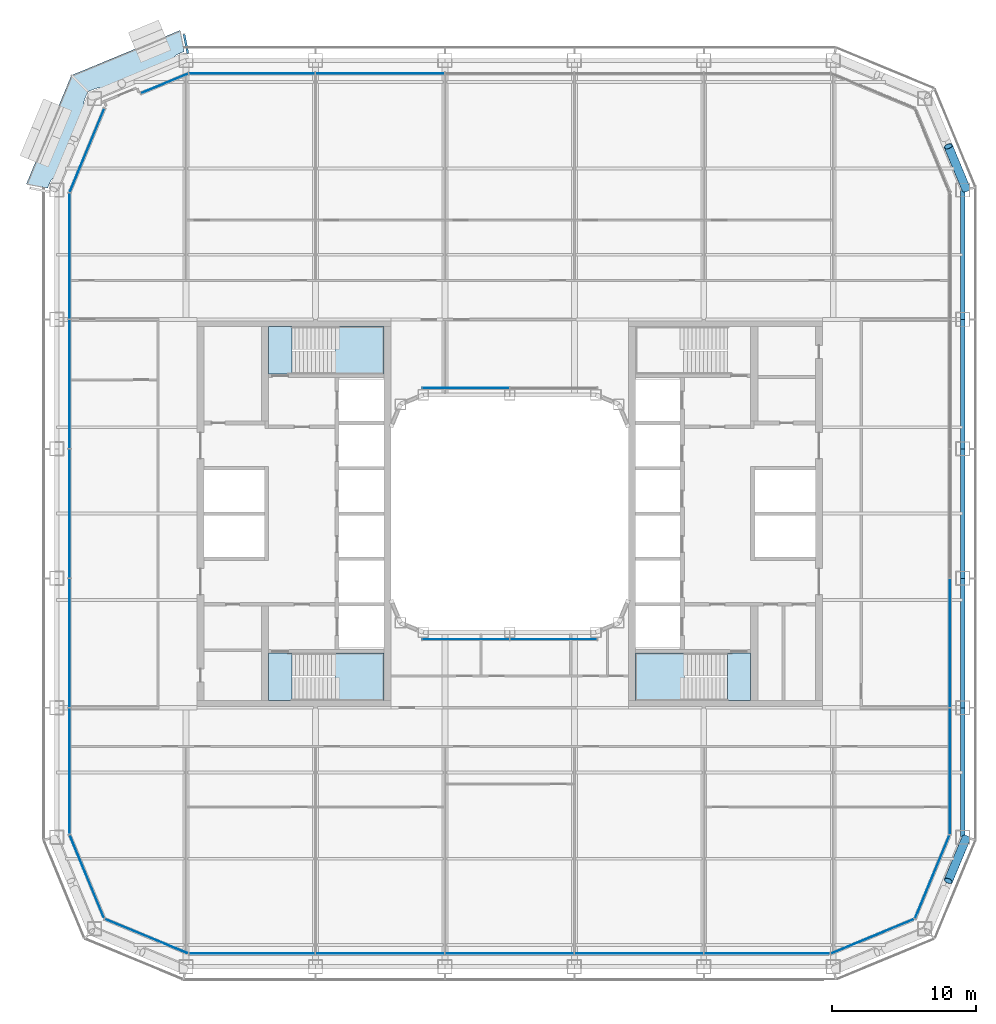
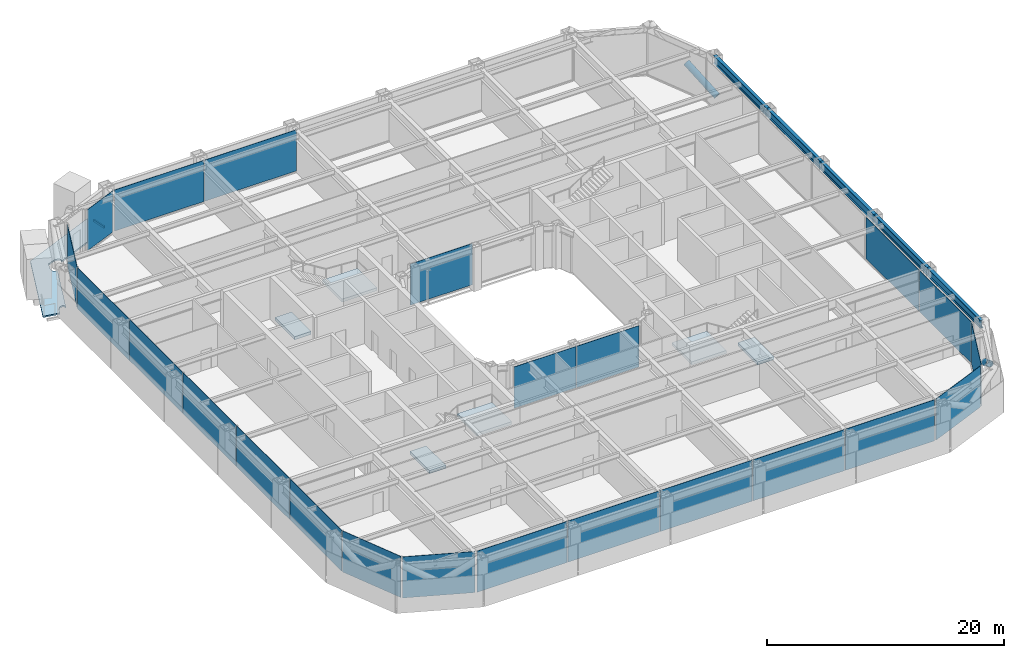
# One storey, part 11 of 29: 23 plates, 7 slabs, 6 beams, 2 members, 15 elements without a shape of their own.
"""IFC4 building model written with IfcOpenShell, lengths in metres."""

from ifc_helpers import new_model, si_unit, direction, frame, origin, origin_2d, place, context, subcontext, project, spatial, polyline, rectangle, hollow_rectangle, hollow_circle, i_section, outline, extrude, material, layer, layer_set, material_profile, profile_set, type_object, element, aggregate, save


model = new_model("IFC4")

# Units and contexts
model_context = context("Model", 3, precision=1e-05, world=origin(), true_north=direction((0.0, 1.0)))
body_context = subcontext(model_context, "Body", "Model", "MODEL_VIEW")
ifc_project = project(units=[si_unit("LENGTHUNIT", "METRE"), si_unit("AREAUNIT", "SQUARE_METRE"), si_unit("VOLUMEUNIT", "CUBIC_METRE"), si_unit("PLANEANGLEUNIT", "RADIAN"), si_unit("MASSUNIT", "GRAM", prefix="KILO")], contexts=[model_context])

# Site, building, storey
site_placement = place(None, origin())
site = spatial("IfcSite", under=ifc_project, at=site_placement, CompositionType="ELEMENT")
building_placement = place(site_placement, origin())
building = spatial("IfcBuilding", under=site, at=building_placement, Name="Siwar Civic Tower", CompositionType="ELEMENT")
storey_placement = place(building_placement, frame((0.0, 0.0, 67.199951171875)))
storey = spatial("IfcBuildingStorey", under=building, at=storey_placement, Name="L14", CompositionType="ELEMENT", Elevation=67.199951171875)

# Beam
ifc_material_1 = material(Name="Steel S355", Category="steel")
ifc_material_profile_1 = material_profile(ifc_material_1, hollow_rectangle(XDim=0.14990234375, YDim=0.25, WallThickness=0.010009765625, at=origin_2d()), Name="RHS250x150x10")
ifc_profile_set_1 = profile_set([ifc_material_profile_1], Name="Steel S355")
beam_type_1 = type_object("IfcBeamType", Name="ENV-BALCONY ARM", PredefinedType="BEAM", material=ifc_profile_set_1)
beam_placement = place(storey_placement, frame((-22.375244140625, 32.0, -0.27490234375), z_axis=(-0.194977678848, 0.980807679798, 0.0), x_axis=(-0.980807679798, -0.194977678848, 0.0)))
element("IfcBeam", 1, at=beam_placement, inside=storey, type_object=beam_type_1, Name="Balcony cantilever beam NW 1", PredefinedType="BEAM", context=body_context, shape_type="SweptSolid", body=[
    extrude(hollow_rectangle(XDim=0.14990234375, YDim=0.25, WallThickness=0.010009765625, at=origin_2d()), origin(), (0.0, 0.0, 1.0), 1.361083984375),
])

# Members
ifc_material_2 = material(Name="Steel S355", Category="steel")
ifc_material_profile_2 = material_profile(ifc_material_2, hollow_circle(Radius=0.304931640625, WallThickness=0.030029296875, at=origin_2d()), Name="CHS610x30")
ifc_profile_set_2 = profile_set([ifc_material_profile_2], Name="Steel S355")
member_type = type_object("IfcMemberType", Name="STR-BR-CHS610x30", PredefinedType="BRACE", material=ifc_profile_set_2)
for number, where, z_axis, x_axis, name in (
    (2, (31.7451171875, -22.548828125, 0.0), (-0.323882123145, -0.777533059308, 0.539020140617), (0.923114847559, -0.384524353215, 0.0), "L14/brc/ASE1-13-0-2"),
    (3, (31.7451171875, 22.548828125, 0.0), (-0.323882123145, 0.777533059308, 0.539020140617), (-0.923114847559, -0.384524353215, 0.0), "L14/brc/ANE1-13-0-4"),
):
    element("IfcMember", number, at=place(storey_placement, frame(where, z_axis=z_axis, x_axis=x_axis)), inside=storey, type_object=member_type, Name=name, PredefinedType="BRACE", context=body_context, shape_type="SweptSolid", body=[
        extrude(hollow_circle(Radius=0.304931640625, WallThickness=0.030029296875, at=origin_2d()), origin(), (0.0, 0.0, 1.0), 3.843505859375),
    ])

# Beams
ifc_material_3 = material(Name="Steel S355", Category="steel")
ifc_material_profile_3 = material_profile(ifc_material_3, i_section(OverallWidth=0.302978515625, OverallDepth=0.81396484375, WebThickness=0.02099609375, FlangeThickness=0.0400390625, FilletRadius=0.030029296875, at=origin_2d()), Name="HEM800")
ifc_profile_set_3 = profile_set([ifc_material_profile_3], Name="Steel S355")
beam_type_2 = type_object("IfcBeamType", Name="STR-SB-HEM800", PredefinedType="BEAM", material=ifc_profile_set_3)
for number, where, z_axis, x_axis, name in (
    (4, (31.5, -22.5, 3.943115234375), (0.0, 1.0, 0.0), (-1.0, 0.0, 0.0), "L14/bm/SE-0"),
    (5, (31.5, -13.5, 3.943115234375), (0.0, 1.0, 0.0), (-1.0, 0.0, 0.0), "L14/bm/SE-1"),
    (6, (31.5, -4.5, 3.943115234375), (0.0, 1.0, 0.0), (-1.0, 0.0, 0.0), "L14/bm/SE-2"),
    (7, (31.5, 4.5, 3.943115234375), (0.0, 1.0, 0.0), (-1.0, 0.0, 0.0), "L14/bm/SE-3"),
    (8, (31.5, 13.5, 3.943115234375), (0.0, 1.0, 0.0), (-1.0, 0.0, 0.0), "L14/bm/SE-4"),
):
    element("IfcBeam", number, at=place(storey_placement, frame(where, z_axis=z_axis, x_axis=x_axis)), inside=storey, type_object=beam_type_2, Name=name, PredefinedType="BEAM", context=body_context, shape_type="SweptSolid", body=[
        extrude(i_section(OverallWidth=0.302978515625, OverallDepth=0.81396484375, WebThickness=0.02099609375, FlangeThickness=0.0400390625, FilletRadius=0.030029296875, at=origin_2d()), origin(), (0.0, 0.0, 1.0), 9.0),
    ])

# Stair, slabs
ifc_material_4 = material(Name="Concrete C40/50", Category="concrete")
stair_type = type_object("IfcStairType", Name="CORE-STAIR", PredefinedType="TWO_STRAIGHT_RUN_STAIR", material=ifc_material_4)
stair_1_placement = place(storey_placement, origin())
stair_1 = element("IfcStair", 9, at=stair_1_placement, inside=storey, type_object=stair_type, Name="Exit stair ST1", PredefinedType="TWO_STRAIGHT_RUN_STAIR")
ifc_material_5 = material(Name="Concrete C40/50", Category="concrete")
ifc_layer_1 = layer(ifc_material_5, 0.300048828125)
ifc_layer_set_1 = layer_set([ifc_layer_1], Name="Concrete C40/50")
slab_type_1 = type_object("IfcSlabType", Name="CORE-STAIR-LANDING", PredefinedType="LANDING", material=ifc_layer_set_1)
slab_1_placement = place(storey_placement, frame((0.0, 0.0, -0.300048828125)))
slab_1 = element("IfcSlab", 10, at=slab_1_placement, type_object=slab_type_1, Name="ST1 landing 1", PredefinedType="LANDING", context=body_context, shape_type="SweptSolid", body=[
    extrude(outline(polyline([(-15.14990234375, 13.0), (-16.75, 13.0), (-16.75, 9.699951171875), (-15.14990234375, 9.699951171875), (-15.14990234375, 13.0)])), origin(), (0.0, 0.0, 1.0), 0.300048828125),
])
slab_2_placement = place(storey_placement, frame((0.0, 0.0, 1.949951171875)))
slab_2 = element("IfcSlab", 11, at=slab_2_placement, type_object=slab_type_1, Name="ST1 landing 2", PredefinedType="LANDING", context=body_context, shape_type="SweptSolid", body=[
    extrude(outline(polyline([(-8.75, 13.0), (-12.139892578125, 13.0), (-12.139892578125, 9.699951171875), (-8.75, 9.699951171875), (-8.75, 13.0)])), origin(), (0.0, 0.0, 1.0), 0.300048828125),
])
aggregate(stair_1, [slab_1, slab_2])

stair_2_placement = place(storey_placement, origin())
stair_2 = element("IfcStair", 12, at=stair_2_placement, inside=storey, type_object=stair_type, Name="Exit stair ST2", PredefinedType="TWO_STRAIGHT_RUN_STAIR")
slab_3_placement = place(storey_placement, frame((0.0, 0.0, -0.300048828125)))
slab_3 = element("IfcSlab", 13, at=slab_3_placement, type_object=slab_type_1, Name="ST2 landing 1", PredefinedType="LANDING", context=body_context, shape_type="SweptSolid", body=[
    extrude(outline(polyline([(-15.14990234375, -9.699951171875), (-16.75, -9.699951171875), (-16.75, -13.0), (-15.14990234375, -13.0), (-15.14990234375, -9.699951171875)])), origin(), (0.0, 0.0, 1.0), 0.300048828125),
])
slab_4_placement = place(storey_placement, frame((0.0, 0.0, 1.949951171875)))
slab_4 = element("IfcSlab", 14, at=slab_4_placement, type_object=slab_type_1, Name="ST2 landing 2", PredefinedType="LANDING", context=body_context, shape_type="SweptSolid", body=[
    extrude(outline(polyline([(-8.75, -9.699951171875), (-12.139892578125, -9.699951171875), (-12.139892578125, -13.0), (-8.75, -13.0), (-8.75, -9.699951171875)])), origin(), (0.0, 0.0, 1.0), 0.300048828125),
])
aggregate(stair_2, [slab_3, slab_4])

stair_3_placement = place(storey_placement, origin())
stair_3 = element("IfcStair", 15, at=stair_3_placement, inside=storey, type_object=stair_type, Name="Exit stair ST4", PredefinedType="TWO_STRAIGHT_RUN_STAIR")
slab_5_placement = place(storey_placement, frame((0.0, 0.0, -0.300048828125)))
slab_5 = element("IfcSlab", 16, at=slab_5_placement, type_object=slab_type_1, Name="ST4 landing 1", PredefinedType="LANDING", context=body_context, shape_type="SweptSolid", body=[
    extrude(outline(polyline([(15.14990234375, -13.0), (16.75, -13.0), (16.75, -9.699951171875), (15.14990234375, -9.699951171875), (15.14990234375, -13.0)])), origin(), (0.0, 0.0, 1.0), 0.300048828125),
])
slab_6_placement = place(storey_placement, frame((0.0, 0.0, 1.949951171875)))
slab_6 = element("IfcSlab", 17, at=slab_6_placement, type_object=slab_type_1, Name="ST4 landing 2", PredefinedType="LANDING", context=body_context, shape_type="SweptSolid", body=[
    extrude(outline(polyline([(8.75, -13.0), (12.139892578125, -13.0), (12.139892578125, -9.699951171875), (8.75, -9.699951171875), (8.75, -13.0)])), origin(), (0.0, 0.0, 1.0), 0.300048828125),
])
aggregate(stair_3, [slab_5, slab_6])

# Slab
ifc_material_6 = material(Name="Concrete C40/50", Category="concrete")
ifc_layer_2 = layer(ifc_material_6, 0.14990234375)
ifc_layer_set_2 = layer_set([ifc_layer_2], Name="Concrete C40/50")
slab_type_2 = type_object("IfcSlabType", Name="ENV-BALCONY DECK 150", PredefinedType="FLOOR", material=ifc_layer_set_2)
slab_7_placement = place(storey_placement, frame((0.0, 0.0, -0.1494140625)))
element("IfcSlab", 18, at=slab_7_placement, inside=storey, type_object=slab_type_2, Name="Tree balcony deck NW", PredefinedType="FLOOR", context=body_context, shape_type="SweptSolid", body=[
    extrude(outline(polyline([(-29.19189453125, 29.38916015625), (-29.186767578125, 29.3916015625), (-29.186767578125, 29.3916015625), (-29.17138671875, 29.39794921875), (-29.14794921875, 29.40771484375), (-28.9306640625, 29.498291015625), (-28.891845703125, 29.514404296875), (-28.884033203125, 29.517578125), (-28.881591796875, 29.5185546875), (-28.814208984375, 29.5439453125), (-28.80908203125, 29.545654296875), (-28.739990234375, 29.56591796875), (-28.73486328125, 29.567138671875), (-28.66455078125, 29.58251953125), (-28.6572265625, 29.583984375), (-28.59375, 29.591064453125), (-28.59130859375, 29.59130859375), (-28.51953125, 29.59716796875), (-28.51318359375, 29.597412109375), (-28.506591796875, 29.59716796875), (-28.45068359375, 29.592041015625), (-28.445068359375, 29.59130859375), (-28.389404296875, 29.58203125), (-28.38427734375, 29.5810546875), (-28.32958984375, 29.56787109375), (-28.3232421875, 29.566162109375), (-28.3173828125, 29.56396484375), (-28.271484375, 29.544189453125), (-28.264404296875, 29.540771484375), (-28.2578125, 29.53662109375), (-28.221435546875, 29.5107421875), (-28.216552734375, 29.507080078125), (-28.2119140625, 29.502685546875), (-28.20751953125, 29.498291015625), (-28.180908203125, 29.467041015625), (-28.1767578125, 29.46142578125), (-28.173095703125, 29.45556640625), (-28.169921875, 29.449462890625), (-28.1533203125, 29.413330078125), (-28.151123046875, 29.408447265625), (-28.13720703125, 29.37109375), (-28.135009765625, 29.364501953125), (-28.133544921875, 29.35791015625), (-28.132568359375, 29.35107421875), (-28.129150390625, 29.31005859375), (-28.12890625, 29.3037109375), (-28.129150390625, 29.297607421875), (-28.1298828125, 29.29150390625), (-28.137451171875, 29.247314453125), (-28.13916015625, 29.23974609375), (-28.1416015625, 29.232177734375), (-28.159912109375, 29.185791015625), (-28.16259765625, 29.179931640625), (-28.16552734375, 29.17431640625), (-28.182861328125, 29.14599609375), (-23.210693359375, 31.20556640625), (-23.260986328125, 31.217529296875), (-23.26708984375, 31.21923828125), (-23.273193359375, 31.2216796875), (-23.31884765625, 31.2412109375), (-23.325927734375, 31.244873046875), (-23.332763671875, 31.2490234375), (-23.369140625, 31.274658203125), (-23.3740234375, 31.278564453125), (-23.378662109375, 31.28271484375), (-23.3828125, 31.287353515625), (-23.40966796875, 31.318603515625), (-23.413818359375, 31.323974609375), (-23.41748046875, 31.329833984375), (-23.420654296875, 31.3359375), (-23.437255859375, 31.3720703125), (-23.439453125, 31.376953125), (-23.453369140625, 31.414306640625), (-23.45556640625, 31.4208984375), (-23.45703125, 31.427734375), (-23.4580078125, 31.4345703125), (-23.46142578125, 31.4755859375), (-23.461669921875, 31.481689453125), (-23.461181640625, 31.488037109375), (-23.46044921875, 31.494140625), (-23.453125, 31.5380859375), (-23.451416015625, 31.5458984375), (-23.448974609375, 31.55322265625), (-23.4306640625, 31.599609375), (-23.427978515625, 31.60546875), (-23.4248046875, 31.611083984375), (-23.3955078125, 31.659423828125), (-23.392578125, 31.66357421875), (-23.360107421875, 31.709716796875), (-23.353515625, 31.717529296875), (-23.309814453125, 31.764404296875), (-23.30615234375, 31.76806640625), (-23.25927734375, 31.8115234375), (-23.255126953125, 31.815185546875), (-23.205322265625, 31.85498046875), (-23.198974609375, 31.859619140625), (-23.138671875, 31.898681640625), (-23.134033203125, 31.9013671875), (-23.07080078125, 31.93603515625), (-23.06591796875, 31.9384765625), (-23.0, 31.968505859375), (-23.0, 32.0), (-22.92529296875, 32.0), (-22.70263671875, 32.0927734375), (-22.69482421875, 32.095947265625), (-22.69482421875, 32.095947265625), (-22.688232421875, 32.098388671875), (-22.662109375, 32.1064453125), (-22.6552734375, 32.108154296875), (-22.648193359375, 32.109375), (-22.621826171875, 32.1123046875), (-22.917724609375, 33.60009765625), (-30.47119140625, 30.47119140625), (-33.60009765625, 22.917724609375), (-32.1083984375, 22.62109375), (-32.1083984375, 22.6259765625), (-32.107421875, 22.6484375), (-32.107421875, 22.649658203125), (-32.107421875, 22.6513671875), (-32.10693359375, 22.655029296875), (-32.106689453125, 22.656982421875), (-32.1064453125, 22.65771484375), (-32.1064453125, 22.658447265625), (-32.104736328125, 22.66552734375), (-32.098876953125, 22.686279296875), (-32.095947265625, 22.69482421875), (-32.0927734375, 22.70263671875), (-32.085693359375, 22.719970703125), (-32.0830078125, 22.72607421875), (-32.0732421875, 22.749267578125), (-32.0693359375, 22.7587890625), (-32.0, 22.92529296875), (-32.0, 23.0), (-31.968505859375, 23.0), (-31.9384765625, 23.06591796875), (-31.93603515625, 23.07080078125), (-31.9013671875, 23.134033203125), (-31.898681640625, 23.138671875), (-31.859619140625, 23.198974609375), (-31.85498046875, 23.205322265625), (-31.815185546875, 23.255126953125), (-31.8115234375, 23.25927734375), (-31.76806640625, 23.30615234375), (-31.764404296875, 23.309814453125), (-31.717529296875, 23.353515625), (-31.709716796875, 23.360107421875), (-31.66357421875, 23.392578125), (-31.659423828125, 23.3955078125), (-31.611083984375, 23.4248046875), (-31.60546875, 23.427978515625), (-31.599609375, 23.4306640625), (-31.55322265625, 23.448974609375), (-31.5458984375, 23.451416015625), (-31.5380859375, 23.453125), (-31.494140625, 23.46044921875), (-31.488037109375, 23.461181640625), (-31.481689453125, 23.461669921875), (-31.4755859375, 23.46142578125), (-31.4345703125, 23.4580078125), (-31.427734375, 23.45703125), (-31.4208984375, 23.45556640625), (-31.414306640625, 23.453369140625), (-31.376953125, 23.439453125), (-31.3720703125, 23.437255859375), (-31.3359375, 23.420654296875), (-31.329833984375, 23.41748046875), (-31.323974609375, 23.413818359375), (-31.318603515625, 23.40966796875), (-31.287353515625, 23.3828125), (-31.28271484375, 23.378662109375), (-31.278564453125, 23.3740234375), (-31.274658203125, 23.369140625), (-31.2490234375, 23.332763671875), (-31.244873046875, 23.325927734375), (-31.2412109375, 23.31884765625), (-31.2216796875, 23.273193359375), (-31.21923828125, 23.26708984375), (-31.217529296875, 23.260986328125), (-31.20556640625, 23.210693359375), (-29.14599609375, 28.182861328125), (-29.17431640625, 28.16552734375), (-29.179931640625, 28.16259765625), (-29.185791015625, 28.159912109375), (-29.232177734375, 28.1416015625), (-29.23974609375, 28.13916015625), (-29.247314453125, 28.137451171875), (-29.29150390625, 28.1298828125), (-29.297607421875, 28.129150390625), (-29.3037109375, 28.12890625), (-29.31005859375, 28.129150390625), (-29.35107421875, 28.132568359375), (-29.35791015625, 28.133544921875), (-29.364501953125, 28.135009765625), (-29.37109375, 28.13720703125), (-29.408447265625, 28.151123046875), (-29.413330078125, 28.1533203125), (-29.449462890625, 28.169921875), (-29.45556640625, 28.173095703125), (-29.46142578125, 28.1767578125), (-29.467041015625, 28.180908203125), (-29.498291015625, 28.20751953125), (-29.502685546875, 28.2119140625), (-29.507080078125, 28.216552734375), (-29.5107421875, 28.221435546875), (-29.53662109375, 28.2578125), (-29.540771484375, 28.264404296875), (-29.544189453125, 28.271484375), (-29.56396484375, 28.3173828125), (-29.566162109375, 28.3232421875), (-29.56787109375, 28.32958984375), (-29.5810546875, 28.38427734375), (-29.58203125, 28.389404296875), (-29.59130859375, 28.445068359375), (-29.592041015625, 28.45068359375), (-29.59716796875, 28.506591796875), (-29.597412109375, 28.51318359375), (-29.59716796875, 28.51953125), (-29.59130859375, 28.59130859375), (-29.591064453125, 28.59375), (-29.583984375, 28.6572265625), (-29.58251953125, 28.66455078125), (-29.567138671875, 28.73486328125), (-29.56591796875, 28.739990234375), (-29.545654296875, 28.80908203125), (-29.5439453125, 28.814208984375), (-29.5185546875, 28.881591796875), (-29.517578125, 28.884033203125), (-29.514404296875, 28.891845703125), (-29.498291015625, 28.9306640625), (-29.424560546875, 29.107666015625), (-29.420654296875, 29.116943359375), (-29.40771484375, 29.14794921875), (-29.39794921875, 29.17138671875), (-29.3916015625, 29.186767578125), (-29.387451171875, 29.195068359375), (-29.376953125, 29.2138671875), (-29.373046875, 29.219970703125), (-29.37255859375, 29.220703125), (-29.3720703125, 29.22119140625), (-29.370849609375, 29.22265625), (-29.36865234375, 29.2255859375), (-29.367431640625, 29.226806640625), (-29.36669921875, 29.227783203125), (-29.364013671875, 29.230712890625), (-29.364013671875, 29.364013671875), (-29.238037109375, 29.364013671875), (-29.233154296875, 29.367431640625), (-29.2236328125, 29.373046875), (-29.19189453125, 29.38916015625)])), origin(), (0.0, 0.0, 1.0), 0.1494140625),
])

# Curtain wall, plates
ifc_material_7 = material(Name="Aluminium and glass", Category="aluminium")
ifc_layer_3 = layer(ifc_material_7, 0.219970703125)
ifc_layer_set_3 = layer_set([ifc_layer_3], Name="Aluminium and glass")
curtain_wall_type_1 = type_object("IfcCurtainWallType", Name="ENV-CW-A", PredefinedType="NOTDEFINED", material=ifc_layer_set_3)
curtain_wall_1_placement = place(storey_placement, origin())
curtain_wall_1 = element("IfcCurtainWall", 19, at=curtain_wall_1_placement, inside=storey, type_object=curtain_wall_type_1, Name="Curtain wall A S", PredefinedType="NOTDEFINED")
ifc_material_8 = material(Name="Glass clear laminated", Category="glass")
ifc_layer_4 = layer(ifc_material_8, 0.035888671875)
ifc_layer_set_4 = layer_set([ifc_layer_4], Name="Glass clear laminated")
plate_type_1 = type_object("IfcPlateType", Name="ENV-PANEL-A", PredefinedType="CURTAIN_PANEL", material=ifc_layer_set_4)
plate_1_placement = place(storey_placement, frame((-17.910400390625, -30.60009765625, 0.1201171875), z_axis=(0.0, 0.0, 1.0), x_axis=(1.0, 0.0, 0.0)))
plate_1 = element("IfcPlate", 20, at=plate_1_placement, type_object=plate_type_1, Name="Curtain panel A S 1", PredefinedType="CURTAIN_PANEL", context=body_context, shape_type="SweptSolid", body=[
    extrude(rectangle(XDim=8.7509765625, YDim=0.035888671875, at=origin_2d()), origin(), (0.0, 0.0, 1.0), 4.22998046875),
])
plate_2_placement = place(storey_placement, frame((-9.0, -30.60009765625, 0.1201171875), z_axis=(0.0, 0.0, 1.0), x_axis=(1.0, 0.0, 0.0)))
plate_2 = element("IfcPlate", 21, at=plate_2_placement, type_object=plate_type_1, Name="Curtain panel A S 2", PredefinedType="CURTAIN_PANEL", context=body_context, shape_type="SweptSolid", body=[
    extrude(rectangle(XDim=8.929931640625, YDim=0.035888671875, at=origin_2d()), origin(), (0.0, 0.0, 1.0), 4.22998046875),
])
plate_3_placement = place(storey_placement, frame((0.0, -30.60009765625, 0.1201171875), z_axis=(0.0, 0.0, 1.0), x_axis=(1.0, 0.0, 0.0)))
plate_3 = element("IfcPlate", 22, at=plate_3_placement, type_object=plate_type_1, Name="Curtain panel A S 3", PredefinedType="CURTAIN_PANEL", context=body_context, shape_type="SweptSolid", body=[
    extrude(rectangle(XDim=8.929931640625, YDim=0.035888671875, at=origin_2d()), origin(), (0.0, 0.0, 1.0), 4.22998046875),
])
plate_4_placement = place(storey_placement, frame((9.0, -30.60009765625, 0.1201171875), z_axis=(0.0, 0.0, 1.0), x_axis=(1.0, 0.0, 0.0)))
plate_4 = element("IfcPlate", 23, at=plate_4_placement, type_object=plate_type_1, Name="Curtain panel A S 4", PredefinedType="CURTAIN_PANEL", context=body_context, shape_type="SweptSolid", body=[
    extrude(rectangle(XDim=8.929931640625, YDim=0.035888671875, at=origin_2d()), origin(), (0.0, 0.0, 1.0), 4.22998046875),
])
plate_5_placement = place(storey_placement, frame((17.86669921875, -30.60009765625, 0.1201171875), z_axis=(0.0, 0.0, 1.0), x_axis=(1.0, 0.0, 0.0)))
plate_5 = element("IfcPlate", 24, at=plate_5_placement, type_object=plate_type_1, Name="Curtain panel A S 5", PredefinedType="CURTAIN_PANEL", context=body_context, shape_type="SweptSolid", body=[
    extrude(rectangle(XDim=8.663330078125, YDim=0.035888671875, at=origin_2d()), origin(), (0.0, 0.0, 1.0), 4.22998046875),
])
aggregate(curtain_wall_1, [plate_1, plate_2, plate_3, plate_4, plate_5])

curtain_wall_2_placement = place(storey_placement, origin())
curtain_wall_2 = element("IfcCurtainWall", 25, at=curtain_wall_2_placement, inside=storey, type_object=curtain_wall_type_1, Name="Curtain wall A E", PredefinedType="NOTDEFINED")
plate_6_placement = place(storey_placement, frame((30.60009765625, -17.910400390625, 0.1201171875), z_axis=(0.0, 0.0, 1.0), x_axis=(0.0, 1.0, 0.0)))
plate_6 = element("IfcPlate", 26, at=plate_6_placement, type_object=plate_type_1, Name="Curtain panel A E 1", PredefinedType="CURTAIN_PANEL", context=body_context, shape_type="SweptSolid", body=[
    extrude(rectangle(XDim=8.7509765625, YDim=0.035888671875, at=origin_2d()), origin(), (0.0, 0.0, 1.0), 4.22998046875),
])
plate_7_placement = place(storey_placement, frame((30.60009765625, -9.0, 0.1201171875), z_axis=(0.0, 0.0, 1.0), x_axis=(0.0, 1.0, 0.0)))
plate_7 = element("IfcPlate", 27, at=plate_7_placement, type_object=plate_type_1, Name="Curtain panel A E 2", PredefinedType="CURTAIN_PANEL", context=body_context, shape_type="SweptSolid", body=[
    extrude(rectangle(XDim=8.929931640625, YDim=0.035888671875, at=origin_2d()), origin(), (0.0, 0.0, 1.0), 4.22998046875),
])
aggregate(curtain_wall_2, [plate_6, plate_7])

curtain_wall_3_placement = place(storey_placement, origin())
curtain_wall_3 = element("IfcCurtainWall", 28, at=curtain_wall_3_placement, inside=storey, type_object=curtain_wall_type_1, Name="Curtain wall A N", PredefinedType="NOTDEFINED")
plate_8_placement = place(storey_placement, frame((-9.0, 30.60009765625, 0.1201171875), z_axis=(0.0, 0.0, 1.0), x_axis=(-1.0, 0.0, 0.0)))
plate_8 = element("IfcPlate", 29, at=plate_8_placement, type_object=plate_type_1, Name="Curtain panel A N 4", PredefinedType="CURTAIN_PANEL", context=body_context, shape_type="SweptSolid", body=[
    extrude(rectangle(XDim=8.929931640625, YDim=0.035888671875, at=origin_2d()), origin(), (0.0, 0.0, 1.0), 4.22998046875),
])
plate_9_placement = place(storey_placement, frame((-17.86669921875, 30.60009765625, 0.1201171875), z_axis=(0.0, 0.0, 1.0), x_axis=(-1.0, 0.0, 0.0)))
plate_9 = element("IfcPlate", 30, at=plate_9_placement, type_object=plate_type_1, Name="Curtain panel A N 5", PredefinedType="CURTAIN_PANEL", context=body_context, shape_type="SweptSolid", body=[
    extrude(rectangle(XDim=8.663330078125, YDim=0.035888671875, at=origin_2d()), origin(), (0.0, 0.0, 1.0), 4.22998046875),
])
aggregate(curtain_wall_3, [plate_8, plate_9])

curtain_wall_4_placement = place(storey_placement, origin())
curtain_wall_4 = element("IfcCurtainWall", 31, at=curtain_wall_4_placement, inside=storey, type_object=curtain_wall_type_1, Name="Curtain wall A W", PredefinedType="NOTDEFINED")
plate_10_placement = place(storey_placement, frame((-30.60009765625, 17.910400390625, 0.1201171875), z_axis=(0.0, 0.0, 1.0), x_axis=(0.0, -1.0, 0.0)))
plate_10 = element("IfcPlate", 32, at=plate_10_placement, type_object=plate_type_1, Name="Curtain panel A W 1", PredefinedType="CURTAIN_PANEL", context=body_context, shape_type="SweptSolid", body=[
    extrude(rectangle(XDim=8.7509765625, YDim=0.035888671875, at=origin_2d()), origin(), (0.0, 0.0, 1.0), 4.22998046875),
])
plate_11_placement = place(storey_placement, frame((-30.60009765625, 9.0, 0.1201171875), z_axis=(0.0, 0.0, 1.0), x_axis=(0.0, -1.0, 0.0)))
plate_11 = element("IfcPlate", 33, at=plate_11_placement, type_object=plate_type_1, Name="Curtain panel A W 2", PredefinedType="CURTAIN_PANEL", context=body_context, shape_type="SweptSolid", body=[
    extrude(rectangle(XDim=8.929931640625, YDim=0.035888671875, at=origin_2d()), origin(), (0.0, 0.0, 1.0), 4.22998046875),
])
plate_12_placement = place(storey_placement, frame((-30.60009765625, 0.0, 0.1201171875), z_axis=(0.0, 0.0, 1.0), x_axis=(0.0, -1.0, 0.0)))
plate_12 = element("IfcPlate", 34, at=plate_12_placement, type_object=plate_type_1, Name="Curtain panel A W 3", PredefinedType="CURTAIN_PANEL", context=body_context, shape_type="SweptSolid", body=[
    extrude(rectangle(XDim=8.929931640625, YDim=0.035888671875, at=origin_2d()), origin(), (0.0, 0.0, 1.0), 4.22998046875),
])
plate_13_placement = place(storey_placement, frame((-30.60009765625, -9.0, 0.1201171875), z_axis=(0.0, 0.0, 1.0), x_axis=(0.0, -1.0, 0.0)))
plate_13 = element("IfcPlate", 35, at=plate_13_placement, type_object=plate_type_1, Name="Curtain panel A W 4", PredefinedType="CURTAIN_PANEL", context=body_context, shape_type="SweptSolid", body=[
    extrude(rectangle(XDim=8.929931640625, YDim=0.035888671875, at=origin_2d()), origin(), (0.0, 0.0, 1.0), 4.22998046875),
])
plate_14_placement = place(storey_placement, frame((-30.60009765625, -17.86669921875, 0.1201171875), z_axis=(0.0, 0.0, 1.0), x_axis=(0.0, -1.0, 0.0)))
plate_14 = element("IfcPlate", 36, at=plate_14_placement, type_object=plate_type_1, Name="Curtain panel A W 5", PredefinedType="CURTAIN_PANEL", context=body_context, shape_type="SweptSolid", body=[
    extrude(rectangle(XDim=8.663330078125, YDim=0.035888671875, at=origin_2d()), origin(), (0.0, 0.0, 1.0), 4.22998046875),
])
aggregate(curtain_wall_4, [plate_10, plate_11, plate_12, plate_13, plate_14])

# Curtain wall, plate
ifc_material_9 = material(Name="Aluminium clad insulated panel", Category="aluminium")
ifc_layer_5 = layer(ifc_material_9, 0.219970703125)
ifc_layer_set_5 = layer_set([ifc_layer_5], Name="Aluminium clad insulated panel")
curtain_wall_type_2 = type_object("IfcCurtainWallType", Name="ENV-CW-AX", PredefinedType="NOTDEFINED", material=ifc_layer_set_5)
curtain_wall_5_placement = place(storey_placement, origin())
curtain_wall_5 = element("IfcCurtainWall", 37, at=curtain_wall_5_placement, inside=storey, type_object=curtain_wall_type_2, Name="Curtain wall A SE1", PredefinedType="NOTDEFINED")
ifc_material_10 = material(Name="Aluminium clad insulated panel", Category="aluminium")
ifc_layer_6 = layer(ifc_material_10, 0.035888671875)
ifc_layer_set_6 = layer_set([ifc_layer_6], Name="Aluminium clad insulated panel")
plate_type_2 = type_object("IfcPlateType", Name="ENV-PANEL-AX", PredefinedType="CURTAIN_PANEL", material=ifc_layer_set_6)
plate_15_placement = place(storey_placement, frame((25.20751953125, -29.404296875, 0.1201171875), z_axis=(0.0, 0.0, 1.0), x_axis=(0.923879532511, 0.382683432365, 0.0)))
plate_15 = element("IfcPlate", 38, at=plate_15_placement, type_object=plate_type_2, Name="Curtain panel A SE1 1", PredefinedType="CURTAIN_PANEL", context=body_context, shape_type="SweptSolid", body=[
    extrude(rectangle(XDim=6.178955078125, YDim=0.035888671875, at=origin_2d()), origin(), (0.0, 0.0, 1.0), 4.22998046875),
])
aggregate(curtain_wall_5, [plate_15])

curtain_wall_6_placement = place(storey_placement, origin())
curtain_wall_6 = element("IfcCurtainWall", 39, at=curtain_wall_6_placement, inside=storey, type_object=curtain_wall_type_2, Name="Curtain wall A SE2", PredefinedType="NOTDEFINED")
plate_16_placement = place(storey_placement, frame((29.370849609375, -25.28857421875, 0.1201171875), z_axis=(0.0, 0.0, 1.0), x_axis=(0.382683432365, 0.923879532511, 0.0)))
plate_16 = element("IfcPlate", 40, at=plate_16_placement, type_object=plate_type_2, Name="Curtain panel A SE2 1", PredefinedType="CURTAIN_PANEL", context=body_context, shape_type="SweptSolid", body=[
    extrude(rectangle(XDim=6.178955078125, YDim=0.035888671875, at=origin_2d()), origin(), (0.0, 0.0, 1.0), 4.22998046875),
])
aggregate(curtain_wall_6, [plate_16])

curtain_wall_7_placement = place(storey_placement, origin())
curtain_wall_7 = element("IfcCurtainWall", 41, at=curtain_wall_7_placement, inside=storey, type_object=curtain_wall_type_2, Name="Curtain wall A NW1", PredefinedType="NOTDEFINED")
plate_17_placement = place(storey_placement, frame((-23.9873046875, 29.90966796875, 0.1201171875), z_axis=(0.0, 0.0, 1.0), x_axis=(-0.923879532511, -0.382683432365, 0.0)))
plate_17 = element("IfcPlate", 42, at=plate_17_placement, type_object=plate_type_2, Name="Curtain panel A NW1 1", PredefinedType="CURTAIN_PANEL", context=body_context, shape_type="SweptSolid", body=[
    extrude(rectangle(XDim=3.537353515625, YDim=0.035888671875, at=origin_2d()), origin(), (0.0, 0.0, 1.0), 4.22998046875),
])
aggregate(curtain_wall_7, [plate_17])

curtain_wall_8_placement = place(storey_placement, origin())
curtain_wall_8 = element("IfcCurtainWall", 43, at=curtain_wall_8_placement, inside=storey, type_object=curtain_wall_type_2, Name="Curtain wall A NW2", PredefinedType="NOTDEFINED")
plate_18_placement = place(storey_placement, frame((-29.370849609375, 25.28857421875, 0.1201171875), z_axis=(0.0, 0.0, 1.0), x_axis=(-0.382683432365, -0.923879532511, 0.0)))
plate_18 = element("IfcPlate", 44, at=plate_18_placement, type_object=plate_type_2, Name="Curtain panel A NW2 1", PredefinedType="CURTAIN_PANEL", context=body_context, shape_type="SweptSolid", body=[
    extrude(rectangle(XDim=6.178955078125, YDim=0.035888671875, at=origin_2d()), origin(), (0.0, 0.0, 1.0), 4.22998046875),
])
aggregate(curtain_wall_8, [plate_18])

curtain_wall_9_placement = place(storey_placement, origin())
curtain_wall_9 = element("IfcCurtainWall", 45, at=curtain_wall_9_placement, inside=storey, type_object=curtain_wall_type_2, Name="Curtain wall A SW1", PredefinedType="NOTDEFINED")
plate_19_placement = place(storey_placement, frame((-29.404296875, -25.20751953125, 0.1201171875), z_axis=(0.0, 0.0, 1.0), x_axis=(0.382683432365, -0.923879532511, 0.0)))
plate_19 = element("IfcPlate", 46, at=plate_19_placement, type_object=plate_type_2, Name="Curtain panel A SW1 1", PredefinedType="CURTAIN_PANEL", context=body_context, shape_type="SweptSolid", body=[
    extrude(rectangle(XDim=6.178955078125, YDim=0.035888671875, at=origin_2d()), origin(), (0.0, 0.0, 1.0), 4.22998046875),
])
aggregate(curtain_wall_9, [plate_19])

curtain_wall_10_placement = place(storey_placement, origin())
curtain_wall_10 = element("IfcCurtainWall", 47, at=curtain_wall_10_placement, inside=storey, type_object=curtain_wall_type_2, Name="Curtain wall A SW2", PredefinedType="NOTDEFINED")
plate_20_placement = place(storey_placement, frame((-25.28857421875, -29.370849609375, 0.1201171875), z_axis=(0.0, 0.0, 1.0), x_axis=(0.923879532511, -0.382683432365, 0.0)))
plate_20 = element("IfcPlate", 48, at=plate_20_placement, type_object=plate_type_2, Name="Curtain panel A SW2 1", PredefinedType="CURTAIN_PANEL", context=body_context, shape_type="SweptSolid", body=[
    extrude(rectangle(XDim=6.178955078125, YDim=0.035888671875, at=origin_2d()), origin(), (0.0, 0.0, 1.0), 4.22998046875),
])
aggregate(curtain_wall_10, [plate_20])

# Curtain wall, plates
ifc_material_11 = material(Name="Aluminium and glass", Category="aluminium")
ifc_layer_7 = layer(ifc_material_11, 0.179931640625)
ifc_layer_set_7 = layer_set([ifc_layer_7], Name="Aluminium and glass")
curtain_wall_type_3 = type_object("IfcCurtainWallType", Name="ENV-CW-W", PredefinedType="NOTDEFINED", material=ifc_layer_set_7)
curtain_wall_11_placement = place(storey_placement, origin())
curtain_wall_11 = element("IfcCurtainWall", 49, at=curtain_wall_11_placement, inside=storey, type_object=curtain_wall_type_3, Name="Curtain wall W WS", PredefinedType="NOTDEFINED")
ifc_material_12 = material(Name="Glass clear laminated", Category="glass")
ifc_layer_8 = layer(ifc_material_12, 0.031982421875)
ifc_layer_set_8 = layer_set([ifc_layer_8], Name="Glass clear laminated")
plate_type_3 = type_object("IfcPlateType", Name="ENV-PANEL-W", PredefinedType="CURTAIN_PANEL", material=ifc_layer_set_8)
plate_21_placement = place(storey_placement, frame((-3.04833984375, -8.735107421875, 0.10009765625), z_axis=(0.0, 0.0, 1.0), x_axis=(1.0, 0.0, 0.0)))
plate_21 = element("IfcPlate", 50, at=plate_21_placement, type_object=plate_type_3, Name="Curtain panel W WS 1", PredefinedType="CURTAIN_PANEL", context=body_context, shape_type="SweptSolid", body=[
    extrude(rectangle(XDim=6.036376953125, YDim=0.031982421875, at=origin_2d()), origin(), (0.0, 0.0, 1.0), 4.25),
])
plate_22_placement = place(storey_placement, frame((3.04833984375, -8.735107421875, 0.10009765625), z_axis=(0.0, 0.0, 1.0), x_axis=(1.0, 0.0, 0.0)))
plate_22 = element("IfcPlate", 51, at=plate_22_placement, type_object=plate_type_3, Name="Curtain panel W WS 2", PredefinedType="CURTAIN_PANEL", context=body_context, shape_type="SweptSolid", body=[
    extrude(rectangle(XDim=6.036376953125, YDim=0.031982421875, at=origin_2d()), origin(), (0.0, 0.0, 1.0), 4.25),
])
aggregate(curtain_wall_11, [plate_21, plate_22])

# Curtain wall, plate
curtain_wall_12_placement = place(storey_placement, origin())
curtain_wall_12 = element("IfcCurtainWall", 52, at=curtain_wall_12_placement, inside=storey, type_object=curtain_wall_type_3, Name="Curtain wall W WN", PredefinedType="NOTDEFINED")
plate_23_placement = place(storey_placement, frame((-3.04833984375, 8.735107421875, 0.10009765625), z_axis=(0.0, 0.0, 1.0), x_axis=(-1.0, 0.0, 0.0)))
plate_23 = element("IfcPlate", 53, at=plate_23_placement, type_object=plate_type_3, Name="Curtain panel W WN 2", PredefinedType="CURTAIN_PANEL", context=body_context, shape_type="SweptSolid", body=[
    extrude(rectangle(XDim=6.036376953125, YDim=0.031982421875, at=origin_2d()), origin(), (0.0, 0.0, 1.0), 4.25),
])
aggregate(curtain_wall_12, [plate_23])

save(model, "model.ifc")
